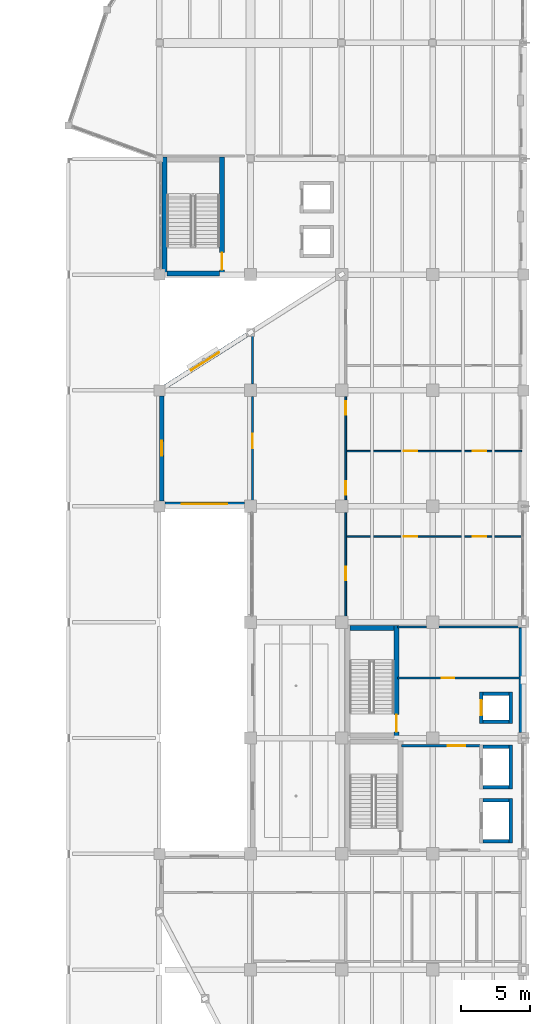
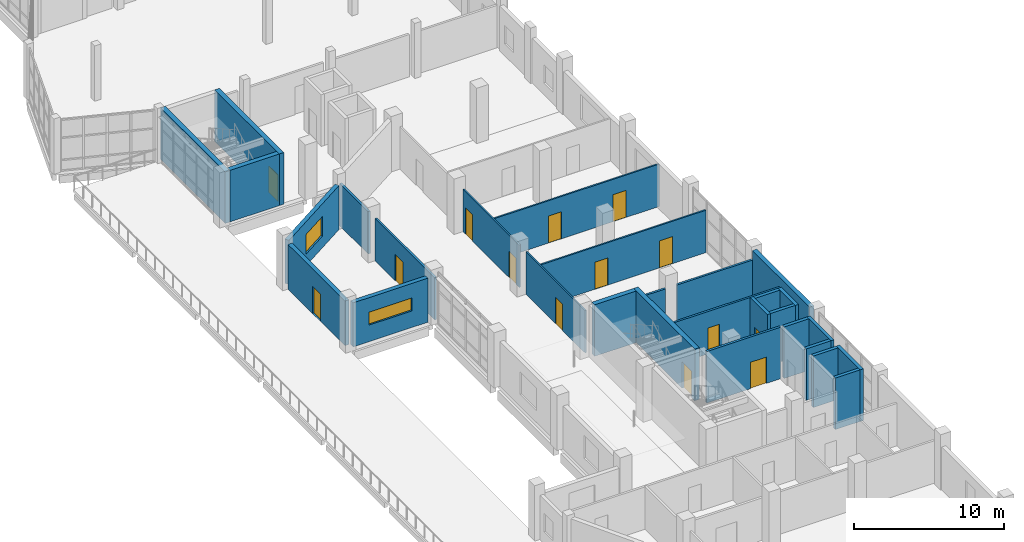
# One storey, part 57 of 83: 29 walls, 14 doors, 2 windows, 16 openings.
"""IFC4 building model written with IfcOpenShell, lengths in metres."""

import ifcopenshell
import ifcopenshell.guid

model = None  # the IFC model being written
_history = None  # IfcOwnerHistory: only IFC2X3 demands one
_inside = {}  # id of a spatial element -> (the spatial element, [elements in it])
_under = {}  # id of a project, library or spatial element -> (it, [spatial elements below it])
_declared = {}  # id of a project -> (the project, [libraries it declares])
_typed = {}  # id of a type object -> (the type object, [elements of that type])
_made_of = {}  # id of a material, layer set ... -> (it, [elements and type objects made of it])


def new_model(schema):
    """Start an empty IFC model of exactly this schema.

    Asked for "IFC4X3", IfcOpenShell would pick the latest addendum, in which some entities
    have other attributes; the version numbers below select the first issue.
    IFC2X3 requires an IfcOwnerHistory on every rooted entity: one is made here for all.
    """
    global model, _history
    if schema == "IFC4X3":
        model = ifcopenshell.file(schema_version=(4, 3, 0, 0))
    else:
        model = ifcopenshell.file(schema=schema)
    _inside.clear()
    _under.clear()
    _declared.clear()
    _typed.clear()
    _made_of.clear()
    _history = None
    if model.schema == "IFC2X3":
        org = make("IfcOrganization", Name="unknown")
        user = make(
            "IfcPersonAndOrganization",
            ThePerson=make("IfcPerson", FamilyName="unknown"),
            TheOrganization=org,
        )
        app = make(
            "IfcApplication",
            ApplicationDeveloper=org,
            Version="unknown",
            ApplicationFullName="unknown",
            ApplicationIdentifier="unknown",
        )
        _history = make(
            "IfcOwnerHistory",
            OwningUser=user,
            OwningApplication=app,
            ChangeAction="ADDED",
            CreationDate=0,
        )
    return model


def make(cls, **values):
    """One entity of the class cls with the attributes given. An attribute that is None is left unset."""
    return model.create_entity(
        cls, **{name: value for name, value in values.items() if value is not None}
    )


def rooted(cls, **values):
    """An entity with a GlobalId (a new one), such as an element, a storey or a relation."""
    return make(cls, GlobalId=ifcopenshell.guid.new(), OwnerHistory=_history, **values)


def si_unit(unit_type, name, prefix=None):
    """IfcSIUnit, for example si_unit("LENGTHUNIT", "METRE", prefix="MILLI")."""
    return make("IfcSIUnit", UnitType=unit_type, Prefix=prefix, Name=name)


def assignment(units):
    """IfcUnitAssignment: the units of a project."""
    return None if units is None else make("IfcUnitAssignment", Units=units)


def point(xyz):
    """IfcCartesianPoint."""
    return None if xyz is None else make("IfcCartesianPoint", Coordinates=xyz)


def direction(xyz):
    """IfcDirection."""
    return None if xyz is None else make("IfcDirection", DirectionRatios=xyz)


def frame(location, z_axis=None, x_axis=None):
    """IfcAxis2Placement3D, a coordinate frame: its origin and axes. An axis left out is left unset."""
    return make(
        "IfcAxis2Placement3D",
        Location=point(location),
        Axis=direction(z_axis),
        RefDirection=direction(x_axis),
    )


def frame_2d(location, x_axis=None):
    """IfcAxis2Placement2D, a coordinate frame in the plane: its origin and x axis."""
    return make(
        "IfcAxis2Placement2D", Location=point(location), RefDirection=direction(x_axis)
    )


def origin():
    """The frame at (0, 0, 0) with its axes left unset."""
    return frame((0.0, 0.0, 0.0))


def place(relative_to, where):
    """IfcLocalPlacement: puts the frame where relative to a parent placement (None: the world)."""
    return make(
        "IfcLocalPlacement", PlacementRelTo=relative_to, RelativePlacement=where
    )


def context(
    kind, dimensions, precision=None, world=None, true_north=None, identifier=None
):
    """IfcGeometricRepresentationContext, for example the 3D "Model" context."""
    return make(
        "IfcGeometricRepresentationContext",
        ContextIdentifier=identifier,
        ContextType=kind,
        CoordinateSpaceDimension=dimensions,
        Precision=precision,
        WorldCoordinateSystem=world,
        TrueNorth=true_north,
    )


def subcontext(parent, identifier, kind, view, scale=None):
    """IfcGeometricRepresentationSubContext, for example "Body" below "Model"."""
    return make(
        "IfcGeometricRepresentationSubContext",
        ContextIdentifier=identifier,
        ContextType=kind,
        ParentContext=parent,
        TargetScale=scale,
        TargetView=view,
    )


def project(units=None, contexts=None):
    """IfcProject with its units and contexts."""
    return rooted(
        "IfcProject",
        Name="project",
        RepresentationContexts=contexts,
        UnitsInContext=assignment(units),
    )


def spatial(cls, under=None, at=None, **own):
    """A site, building, storey or space (cls), placed at a placement, below another one or the project."""
    s = rooted(cls, ObjectPlacement=at, **own)
    if under is not None:
        _under.setdefault(under.id(), (under, []))[1].append(s)
    return s


def profile(cls, at=None, kind="AREA", **sizes):
    """A parametric profile (cls). Its sizes go by their IFC names, for example OverallWidth=200.0."""
    return make(cls, ProfileType=kind, Position=at, **sizes)


def rectangle(**sizes):
    """IfcRectangleProfileDef."""
    return profile("IfcRectangleProfileDef", **sizes)


def extrude(swept, where, along, depth):
    """IfcExtrudedAreaSolid: the profile swept, set in the frame where, extruded along a direction by depth."""
    return make(
        "IfcExtrudedAreaSolid",
        SweptArea=swept,
        Position=where,
        ExtrudedDirection=direction(along),
        Depth=depth,
    )


def shape(context_of_items, identifier, shape_type, items):
    """IfcShapeRepresentation: the items that make up one representation, for example the "Body"."""
    return make(
        "IfcShapeRepresentation",
        ContextOfItems=context_of_items,
        RepresentationIdentifier=identifier,
        RepresentationType=shape_type,
        Items=items,
    )


def material(Name=None, Category=None):
    """IfcMaterial."""
    return make("IfcMaterial", Name=Name, Category=Category)


def layer(
    of_material, thickness, ventilated=None, Name=None, Category=None, Priority=None
):
    """IfcMaterialLayer: one layer of a wall or slab, of a material (None: an air gap)."""
    return make(
        "IfcMaterialLayer",
        Material=of_material,
        LayerThickness=thickness,
        IsVentilated=ventilated,
        Name=Name,
        Category=Category,
        Priority=Priority,
    )


def layer_set(layers, Name=None):
    """IfcMaterialLayerSet."""
    return make("IfcMaterialLayerSet", MaterialLayers=layers, LayerSetName=Name)


def made_of(thing, what):
    """Note that an element or type object is made of a material, layer set ...; save() writes the relation."""
    if what is not None:
        _made_of.setdefault(what.id(), (what, []))[1].append(thing)
    return thing


def type_object(cls, material=None, **own):
    """A type object (cls), such as IfcWallType, which elements share."""
    return made_of(rooted(cls, **own), material)


def element(
    cls,
    number,
    at=None,
    inside=None,
    cuts=None,
    type_object=None,
    material=None,
    context=None,
    identifier="Body",
    shape_type=None,
    held_by="IfcProductDefinitionShape",
    body=None,
    shapes=None,
    **own,
):
    """One element of the class cls, such as IfcWall. Its Tag is "e" and its number.

    at: its placement. inside: the storey or other place that contains it. cuts: it is an
    opening in that element (IfcRelVoidsElement). A single representation is given by context,
    identifier, shape_type and body (its items); several are given by shapes. held_by: the class
    of the entity that holds the representations. save() writes the other relations.
    """
    e = rooted(cls, Tag="e%d" % number, ObjectPlacement=at, **own)
    if body is not None:
        shapes = [shape(context, identifier, shape_type, body)]
    if shapes is not None:
        e.Representation = make(held_by, Representations=shapes)
    if inside is not None:
        _inside.setdefault(inside.id(), (inside, []))[1].append(e)
    if cuts is not None:
        rooted(
            "IfcRelVoidsElement", RelatingBuildingElement=cuts, RelatedOpeningElement=e
        )
    if type_object is not None:
        _typed.setdefault(type_object.id(), (type_object, []))[1].append(e)
    return made_of(e, material)


def fill(opening, filler):
    """IfcRelFillsElement: the door or window that sits in an opening."""
    return rooted(
        "IfcRelFillsElement",
        RelatingOpeningElement=opening,
        RelatedBuildingElement=filler,
    )


def aggregate(whole, parts):
    """IfcRelAggregates: a whole, such as a stair, and the parts it consists of."""
    return rooted("IfcRelAggregates", RelatingObject=whole, RelatedObjects=parts)


def save(model, path):
    """Write the relations noted so far, then the file.

    IfcRelAggregates (storeys below a building ...), IfcRelContainedInSpatialStructure (elements
    in a storey), IfcRelDefinesByType, IfcRelAssociatesMaterial and IfcRelDeclares: one each for
    every whole, place, type object, material and project.
    """
    for whole, parts in _under.values():
        aggregate(whole, parts)
    for where, things in _inside.values():
        rooted(
            "IfcRelContainedInSpatialStructure",
            RelatedElements=things,
            RelatingStructure=where,
        )
    for kind, things in _typed.values():
        rooted("IfcRelDefinesByType", RelatedObjects=things, RelatingType=kind)
    for what, things in _made_of.values():
        rooted("IfcRelAssociatesMaterial", RelatedObjects=things, RelatingMaterial=what)
    for by, libraries in _declared.values():
        rooted("IfcRelDeclares", RelatingContext=by, RelatedDefinitions=libraries)
    model.write(path)


model = new_model("IFC4")

# Units and contexts
model_context = context("Model", 3, precision=1e-05, world=origin(), true_north=direction((0.0, 1.0)))
body_context = subcontext(model_context, "Body", "Model", "MODEL_VIEW")
ifc_project = project(units=[si_unit("LENGTHUNIT", "METRE"), si_unit("AREAUNIT", "SQUARE_METRE"), si_unit("VOLUMEUNIT", "CUBIC_METRE"), si_unit("PLANEANGLEUNIT", "RADIAN"), si_unit("MASSUNIT", "GRAM", prefix="KILO")], contexts=[model_context])

# Site, building, storey
site_placement = place(None, origin())
site = spatial("IfcSite", under=ifc_project, at=site_placement, CompositionType="ELEMENT")
building_placement = place(site_placement, origin())
building = spatial("IfcBuilding", under=site, at=building_placement, Name="Qaldarim Faculty of Natural and Applied Sciences", CompositionType="ELEMENT")
storey_placement = place(building_placement, frame((0.0, 0.0, 5.39990234375)))
storey = spatial("IfcBuildingStorey", under=building, at=storey_placement, Name="L01", CompositionType="ELEMENT", Elevation=5.39990234375)

# Wall, opening, door
ifc_material_1 = material(Name="Painted gypsum partition board")
ifc_layer_1 = layer(ifc_material_1, 0.1201171875)
ifc_layer_set_1 = layer_set([ifc_layer_1], Name="Painted gypsum partition board")
wall_type_1 = type_object("IfcWallType", Name="AcousticPartition-120", PredefinedType="PARTITIONING", material=ifc_layer_set_1)
wall_1_placement = place(storey_placement, frame((165.300048828125, 33.64990234375, 0.0), z_axis=(0.0, 0.0, 1.0), x_axis=(0.0, 1.0, 0.0)))
wall_1 = element("IfcWall", 1, at=wall_1_placement, inside=storey, type_object=wall_type_1, Name="Interior partition PRT-L01-V5-OFFW-S1", PredefinedType="PARTITIONING", context=body_context, shape_type="SweptSolid", body=[
    extrude(rectangle(XDim=7.900146484375, YDim=0.1201171875, at=frame_2d((3.9501953125, 0.0))), origin(), (0.0, 0.0, 1.0), 3.4501953125),
])
opening_1_placement = place(wall_1_placement, frame((3.0, 0.0, 0.0)))
opening_1 = element("IfcOpeningElement", 2, at=opening_1_placement, cuts=wall_1, Name="Opening ID01", PredefinedType="OPENING", context=body_context, shape_type="SweptSolid", body=[
    extrude(rectangle(XDim=0.949951171875, YDim=2.14990234375, at=frame_2d((0.47509765625, 1.074951171875))), frame((0.0, 0.070068359375, 0.0), z_axis=(0.0, -1.0, 0.0), x_axis=(1.0, 0.0, 0.0)), (0.0, 0.0, 1.0), 0.14013671875),
])
ifc_material_2 = material(Name="Oak hardwood", Category="wood")
door_type_1 = type_object("IfcDoorType", Name="SingleRoomDoor-950x2150", OperationType="NOTDEFINED", PredefinedType="DOOR", material=ifc_material_2)
door_1_placement = place(opening_1_placement, origin())
door_1 = element("IfcDoor", 3, at=door_1_placement, inside=storey, type_object=door_type_1, Name="Interior door D-L01-201", OperationType="SINGLE_SWING_LEFT", OverallHeight=2.14990234375, OverallWidth=0.949951171875, PredefinedType="DOOR", context=body_context, shape_type="SweptSolid", body=[
    extrude(rectangle(XDim=0.949951171875, YDim=2.14990234375, at=frame_2d((0.47509765625, 1.074951171875))), frame((0.0, 0.02490234375, 0.0), z_axis=(0.0, -1.0, 0.0), x_axis=(1.0, 0.0, 0.0)), (0.0, 0.0, 1.0), 0.050048828125),
])
fill(opening_1, door_1)

# Wall, openings, doors
wall_2_placement = place(storey_placement, frame((165.300048828125, 42.449951171875, 0.0), z_axis=(0.0, 0.0, 1.0), x_axis=(0.0, 1.0, 0.0)))
wall_2 = element("IfcWall", 4, at=wall_2_placement, inside=storey, type_object=wall_type_1, Name="Interior partition PRT-L01-V5-OFFW-S2", PredefinedType="PARTITIONING", context=body_context, shape_type="SweptSolid", body=[
    extrude(rectangle(XDim=7.5, YDim=0.1201171875, at=frame_2d((3.75, 0.0))), origin(), (0.0, 0.0, 1.0), 3.4501953125),
])
opening_2_placement = place(wall_2_placement, frame((0.39990234375, 0.0, 0.0)))
opening_2 = element("IfcOpeningElement", 5, at=opening_2_placement, cuts=wall_2, Name="Opening ID01", PredefinedType="OPENING", context=body_context, shape_type="SweptSolid", body=[
    extrude(rectangle(XDim=0.949951171875, YDim=2.14990234375, at=frame_2d((0.47509765625, 1.074951171875))), frame((0.0, 0.070068359375, 0.0), z_axis=(0.0, -1.0, 0.0), x_axis=(1.0, 0.0, 0.0)), (0.0, 0.0, 1.0), 0.14013671875),
])
opening_3_placement = place(wall_2_placement, frame((6.199951171875, 0.0, 0.0)))
opening_3 = element("IfcOpeningElement", 6, at=opening_3_placement, cuts=wall_2, Name="Opening ID01", PredefinedType="OPENING", context=body_context, shape_type="SweptSolid", body=[
    extrude(rectangle(XDim=0.949951171875, YDim=2.14990234375, at=frame_2d((0.47509765625, 1.074951171875))), frame((0.0, 0.070068359375, 0.0), z_axis=(0.0, -1.0, 0.0), x_axis=(1.0, 0.0, 0.0)), (0.0, 0.0, 1.0), 0.14013671875),
])
door_2_placement = place(opening_2_placement, origin())
door_2 = element("IfcDoor", 7, at=door_2_placement, inside=storey, type_object=door_type_1, Name="Interior door D-L01-202", OperationType="SINGLE_SWING_RIGHT", OverallHeight=2.14990234375, OverallWidth=0.949951171875, PredefinedType="DOOR", context=body_context, shape_type="SweptSolid", body=[
    extrude(rectangle(XDim=0.949951171875, YDim=2.14990234375, at=frame_2d((0.47509765625, 1.074951171875))), frame((0.0, 0.02490234375, 0.0), z_axis=(0.0, -1.0, 0.0), x_axis=(1.0, 0.0, 0.0)), (0.0, 0.0, 1.0), 0.050048828125),
])
fill(opening_2, door_2)
door_3_placement = place(opening_3_placement, origin())
door_3 = element("IfcDoor", 8, at=door_3_placement, inside=storey, type_object=door_type_1, Name="Interior door D-L01-203", OperationType="SINGLE_SWING_LEFT", OverallHeight=2.14990234375, OverallWidth=0.949951171875, PredefinedType="DOOR", context=body_context, shape_type="SweptSolid", body=[
    extrude(rectangle(XDim=0.949951171875, YDim=2.14990234375, at=frame_2d((0.47509765625, 1.074951171875))), frame((0.0, 0.02490234375, 0.0), z_axis=(0.0, -1.0, 0.0), x_axis=(1.0, 0.0, 0.0)), (0.0, 0.0, 1.0), 0.050048828125),
])
fill(opening_3, door_3)

wall_3_placement = place(storey_placement, frame((165.300048828125, 39.800048828125, 0.0), z_axis=(0.0, 0.0, 1.0), x_axis=(1.0, 0.0, 0.0)))
wall_3 = element("IfcWall", 9, at=wall_3_placement, inside=storey, type_object=wall_type_1, Name="Interior partition PRT-L01-V5-SUB-1", PredefinedType="PARTITIONING", context=body_context, shape_type="SweptSolid", body=[
    extrude(rectangle(XDim=12.75, YDim=0.1201171875, at=frame_2d((6.375, 0.0))), origin(), (0.0, 0.0, 1.0), 3.4501953125),
])
opening_4_placement = place(wall_3_placement, frame((4.199951171875, 0.0, 0.0)))
opening_4 = element("IfcOpeningElement", 10, at=opening_4_placement, cuts=wall_3, Name="Opening ID08", PredefinedType="OPENING", context=body_context, shape_type="SweptSolid", body=[
    extrude(rectangle(XDim=1.0, YDim=2.199951171875, at=frame_2d((0.5, 1.10009765625))), frame((0.0, 0.070068359375, 0.0), z_axis=(0.0, -1.0, 0.0), x_axis=(1.0, 0.0, 0.0)), (0.0, 0.0, 1.0), 0.14013671875),
])
opening_5_placement = place(wall_3_placement, frame((9.199951171875, 0.0, 0.0)))
opening_5 = element("IfcOpeningElement", 11, at=opening_5_placement, cuts=wall_3, Name="Opening ID08", PredefinedType="OPENING", context=body_context, shape_type="SweptSolid", body=[
    extrude(rectangle(XDim=1.0, YDim=2.199951171875, at=frame_2d((0.5, 1.10009765625))), frame((0.0, 0.070068359375, 0.0), z_axis=(0.0, -1.0, 0.0), x_axis=(1.0, 0.0, 0.0)), (0.0, 0.0, 1.0), 0.14013671875),
])
door_type_2 = type_object("IfcDoorType", Name="SeminarRoomDoor-1000x2200", OperationType="NOTDEFINED", PredefinedType="DOOR", material=ifc_material_2)
door_4_placement = place(opening_4_placement, origin())
door_4 = element("IfcDoor", 12, at=door_4_placement, inside=storey, type_object=door_type_2, Name="Interior door D-L01-311", OperationType="SINGLE_SWING_LEFT", OverallHeight=2.199951171875, OverallWidth=1.0, PredefinedType="DOOR", context=body_context, shape_type="SweptSolid", body=[
    extrude(rectangle(XDim=1.0, YDim=2.199951171875, at=frame_2d((0.5, 1.10009765625))), frame((0.0, 0.02490234375, 0.0), z_axis=(0.0, -1.0, 0.0), x_axis=(1.0, 0.0, 0.0)), (0.0, 0.0, 1.0), 0.050048828125),
])
fill(opening_4, door_4)
door_5_placement = place(opening_5_placement, origin())
door_5 = element("IfcDoor", 13, at=door_5_placement, inside=storey, type_object=door_type_2, Name="Interior door D-L01-312", OperationType="SINGLE_SWING_RIGHT", OverallHeight=2.199951171875, OverallWidth=1.0, PredefinedType="DOOR", context=body_context, shape_type="SweptSolid", body=[
    extrude(rectangle(XDim=1.0, YDim=2.199951171875, at=frame_2d((0.5, 1.10009765625))), frame((0.0, 0.02490234375, 0.0), z_axis=(0.0, -1.0, 0.0), x_axis=(1.0, 0.0, 0.0)), (0.0, 0.0, 1.0), 0.050048828125),
])
fill(opening_5, door_5)

wall_4_placement = place(storey_placement, frame((165.300048828125, 46.0, 0.0), z_axis=(0.0, 0.0, 1.0), x_axis=(1.0, 0.0, 0.0)))
wall_4 = element("IfcWall", 14, at=wall_4_placement, inside=storey, type_object=wall_type_1, Name="Interior partition PRT-L01-V5-SUB-2", PredefinedType="PARTITIONING", context=body_context, shape_type="SweptSolid", body=[
    extrude(rectangle(XDim=12.75, YDim=0.1201171875, at=frame_2d((6.375, 0.0))), origin(), (0.0, 0.0, 1.0), 3.4501953125),
])
opening_6_placement = place(wall_4_placement, frame((4.199951171875, 0.0, 0.0)))
opening_6 = element("IfcOpeningElement", 15, at=opening_6_placement, cuts=wall_4, Name="Opening ID08", PredefinedType="OPENING", context=body_context, shape_type="SweptSolid", body=[
    extrude(rectangle(XDim=1.0, YDim=2.199951171875, at=frame_2d((0.5, 1.10009765625))), frame((0.0, 0.070068359375, 0.0), z_axis=(0.0, -1.0, 0.0), x_axis=(1.0, 0.0, 0.0)), (0.0, 0.0, 1.0), 0.14013671875),
])
opening_7_placement = place(wall_4_placement, frame((9.199951171875, 0.0, 0.0)))
opening_7 = element("IfcOpeningElement", 16, at=opening_7_placement, cuts=wall_4, Name="Opening ID08", PredefinedType="OPENING", context=body_context, shape_type="SweptSolid", body=[
    extrude(rectangle(XDim=1.0, YDim=2.199951171875, at=frame_2d((0.5, 1.10009765625))), frame((0.0, 0.070068359375, 0.0), z_axis=(0.0, -1.0, 0.0), x_axis=(1.0, 0.0, 0.0)), (0.0, 0.0, 1.0), 0.14013671875),
])
door_6_placement = place(opening_6_placement, origin())
door_6 = element("IfcDoor", 17, at=door_6_placement, inside=storey, type_object=door_type_2, Name="Interior door D-L01-313", OperationType="SINGLE_SWING_LEFT", OverallHeight=2.199951171875, OverallWidth=1.0, PredefinedType="DOOR", context=body_context, shape_type="SweptSolid", body=[
    extrude(rectangle(XDim=1.0, YDim=2.199951171875, at=frame_2d((0.5, 1.10009765625))), frame((0.0, 0.02490234375, 0.0), z_axis=(0.0, -1.0, 0.0), x_axis=(1.0, 0.0, 0.0)), (0.0, 0.0, 1.0), 0.050048828125),
])
fill(opening_6, door_6)
door_7_placement = place(opening_7_placement, origin())
door_7 = element("IfcDoor", 18, at=door_7_placement, inside=storey, type_object=door_type_2, Name="Interior door D-L01-314", OperationType="SINGLE_SWING_RIGHT", OverallHeight=2.199951171875, OverallWidth=1.0, PredefinedType="DOOR", context=body_context, shape_type="SweptSolid", body=[
    extrude(rectangle(XDim=1.0, YDim=2.199951171875, at=frame_2d((0.5, 1.10009765625))), frame((0.0, 0.02490234375, 0.0), z_axis=(0.0, -1.0, 0.0), x_axis=(1.0, 0.0, 0.0)), (0.0, 0.0, 1.0), 0.050048828125),
])
fill(opening_7, door_7)

# Wall, opening, door
ifc_material_3 = material(Name="Concrete C50/60", Category="concrete")
ifc_layer_2 = layer(ifc_material_3, 0.360107421875)
ifc_layer_set_2 = layer_set([ifc_layer_2], Name="Concrete C50/60")
wall_type_2 = type_object("IfcWallType", Name="CoreShearWall-360", PredefinedType="SHEAR", material=ifc_layer_set_2)
wall_5_placement = place(storey_placement, frame((168.97998046875, 25.18994140625, 0.0), z_axis=(0.0, 0.0, 1.0), x_axis=(0.0, 1.0, 0.0)))
wall_5 = element("IfcWall", 19, at=wall_5_placement, inside=storey, type_object=wall_type_2, Name="Core stair ST-A2 east shear wall L01", PredefinedType="SHEAR", context=body_context, shape_type="SweptSolid", body=[
    extrude(rectangle(XDim=8.170166015625, YDim=0.360107421875, at=frame_2d((4.0849609375, 0.0))), origin(), (0.0, 0.0, 1.0), 4.2001953125),
])
opening_8_placement = place(wall_5_placement, frame((0.449951171875, 0.0, 0.0)))
opening_8 = element("IfcOpeningElement", 20, at=opening_8_placement, cuts=wall_5, Name="Opening ID04", PredefinedType="OPENING", context=body_context, shape_type="SweptSolid", body=[
    extrude(rectangle(XDim=1.25, YDim=2.14990234375, at=frame_2d((0.625, 1.074951171875))), frame((0.0, 0.18994140625, 0.0), z_axis=(0.0, -1.0, 0.0), x_axis=(1.0, 0.0, 0.0)), (0.0, 0.0, 1.0), 0.380126953125),
])
ifc_material_4 = material(Name="Architectural stainless steel 316", Category="steel")
door_type_3 = type_object("IfcDoorType", Name="StairEnclosureFireDoor-1250x2150", OperationType="NOTDEFINED", PredefinedType="DOOR", material=ifc_material_4)
door_8_placement = place(opening_8_placement, origin())
door_8 = element("IfcDoor", 21, at=door_8_placement, inside=storey, type_object=door_type_3, Name="Protected stair ST-A2 fire door D-L01-515", OperationType="SINGLE_SWING_LEFT", OverallHeight=2.14990234375, OverallWidth=1.25, PredefinedType="DOOR", context=body_context, shape_type="SweptSolid", body=[
    extrude(rectangle(XDim=1.25, YDim=2.14990234375, at=frame_2d((0.625, 1.074951171875))), frame((0.0, 0.02490234375, 0.0), z_axis=(0.0, -1.0, 0.0), x_axis=(1.0, 0.0, 0.0)), (0.0, 0.0, 1.0), 0.050048828125),
])
fill(opening_8, door_8)

# Walls
wall_6_placement = place(storey_placement, frame((165.60009765625, 33.179931640625, 0.0), z_axis=(0.0, 0.0, 1.0), x_axis=(1.0, 0.0, 0.0)))
element("IfcWall", 22, at=wall_6_placement, inside=storey, type_object=wall_type_2, Name="Core stair ST-A2 north shear wall L01", PredefinedType="SHEAR", context=body_context, shape_type="SweptSolid", body=[
    extrude(rectangle(XDim=3.199951171875, YDim=0.360107421875, at=frame_2d((1.60009765625, 0.0))), origin(), (0.0, 0.0, 1.0), 4.2001953125),
])
wall_7_placement = place(storey_placement, frame((152.169921875, 58.68994140625, 0.0), z_axis=(0.0, 0.0, 1.0), x_axis=(0.0, 1.0, 0.0)))
element("IfcWall", 23, at=wall_7_placement, inside=storey, type_object=wall_type_2, Name="Core stair ST-C1 west shear wall L01", PredefinedType="SHEAR", context=body_context, shape_type="SweptSolid", body=[
    extrude(rectangle(XDim=8.6201171875, YDim=0.360107421875, at=frame_2d((4.31005859375, 0.0))), origin(), (0.0, 0.0, 1.0), 4.2001953125),
])

# Wall, opening, door
wall_8_placement = place(storey_placement, frame((156.330078125, 58.68994140625, 0.0), z_axis=(0.0, 0.0, 1.0), x_axis=(0.0, 1.0, 0.0)))
wall_8 = element("IfcWall", 24, at=wall_8_placement, inside=storey, type_object=wall_type_2, Name="Core stair ST-C1 east shear wall L01", PredefinedType="SHEAR", context=body_context, shape_type="SweptSolid", body=[
    extrude(rectangle(XDim=8.6201171875, YDim=0.360107421875, at=frame_2d((4.31005859375, 0.0))), origin(), (0.0, 0.0, 1.0), 4.2001953125),
])
opening_9_placement = place(wall_8_placement, frame((0.449951171875, 0.0, 0.0)))
opening_9 = element("IfcOpeningElement", 25, at=opening_9_placement, cuts=wall_8, Name="Opening ID04", PredefinedType="OPENING", context=body_context, shape_type="SweptSolid", body=[
    extrude(rectangle(XDim=1.25, YDim=2.14990234375, at=frame_2d((0.625, 1.074951171875))), frame((0.0, 0.18994140625, 0.0), z_axis=(0.0, -1.0, 0.0), x_axis=(1.0, 0.0, 0.0)), (0.0, 0.0, 1.0), 0.380126953125),
])
door_9_placement = place(opening_9_placement, origin())
door_9 = element("IfcDoor", 26, at=door_9_placement, inside=storey, type_object=door_type_3, Name="Protected stair ST-C1 fire door D-L01-540", OperationType="SINGLE_SWING_LEFT", OverallHeight=2.14990234375, OverallWidth=1.25, PredefinedType="DOOR", context=body_context, shape_type="SweptSolid", body=[
    extrude(rectangle(XDim=1.25, YDim=2.14990234375, at=frame_2d((0.625, 1.074951171875))), frame((0.0, 0.02490234375, 0.0), z_axis=(0.0, -1.0, 0.0), x_axis=(1.0, 0.0, 0.0)), (0.0, 0.0, 1.0), 0.050048828125),
])
fill(opening_9, door_9)

# Wall
wall_9_placement = place(storey_placement, frame((152.35009765625, 58.8701171875, 0.0), z_axis=(0.0, 0.0, 1.0), x_axis=(1.0, 0.0, 0.0)))
element("IfcWall", 27, at=wall_9_placement, inside=storey, type_object=wall_type_2, Name="Core stair ST-C1 south shear wall L01", PredefinedType="SHEAR", context=body_context, shape_type="SweptSolid", body=[
    extrude(rectangle(XDim=3.7998046875, YDim=0.360107421875, at=frame_2d((1.89990234375, 0.0))), origin(), (0.0, 0.0, 1.0), 4.2001953125),
])

# Wall, opening, window
ifc_material_5 = material(Name="Precast concrete C40/50", Category="concrete")
ifc_layer_3 = layer(ifc_material_5, 0.320068359375)
ifc_layer_set_3 = layer_set([ifc_layer_3], Name="Precast concrete C40/50")
wall_type_3 = type_object("IfcWallType", Name="ExteriorLimestoneWall-320", PredefinedType="SOLIDWALL", material=ifc_layer_set_3)
wall_10_placement = place(storey_placement, frame((152.195068359375, 42.159912109375, 0.0), z_axis=(0.0, 0.0, 1.0), x_axis=(1.0, 0.0, 0.0)))
wall_10 = element("IfcWall", 28, at=wall_10_placement, inside=storey, type_object=wall_type_3, Name="Exterior wall EW01 L01 S X24Y06", PredefinedType="SOLIDWALL", context=body_context, shape_type="SweptSolid", body=[
    extrude(rectangle(XDim=5.760009765625, YDim=0.320068359375, at=frame_2d((2.8798828125, 0.0))), origin(), (0.0, 0.0, 1.0), 3.585205078125),
])
opening_10_placement = place(wall_10_placement, frame((1.22998046875, 0.0, 1.35009765625)))
opening_10 = element("IfcOpeningElement", 29, at=opening_10_placement, cuts=wall_10, Name="Opening WN23", PredefinedType="OPENING", context=body_context, shape_type="SweptSolid", body=[
    extrude(rectangle(XDim=3.300048828125, YDim=1.050048828125, at=frame_2d((1.64990234375, 0.52490234375))), frame((0.0, 0.169921875, 0.0), z_axis=(0.0, -1.0, 0.0), x_axis=(1.0, 0.0, 0.0)), (0.0, 0.0, 1.0), 0.340087890625),
])
ifc_material_6 = material(Name="Insulated low-e double glazing", Category="glass")
window_type_1 = type_object("IfcWindowType", Name="ClerestoryWindow-3300x1050", PartitioningType="TRIPLE_PANEL_HORIZONTAL", PredefinedType="WINDOW", material=ifc_material_6)
window_1_placement = place(opening_10_placement, origin())
window_1 = element("IfcWindow", 30, at=window_1_placement, inside=storey, type_object=window_type_1, Name="Facade window WN23 L01 S X24Y06", OverallHeight=1.050048828125, OverallWidth=3.300048828125, PartitioningType="SINGLE_PANEL", PredefinedType="WINDOW", context=body_context, shape_type="SweptSolid", body=[
    extrude(rectangle(XDim=3.300048828125, YDim=1.050048828125, at=frame_2d((1.64990234375, 0.52490234375))), frame((0.0, 0.030029296875, 0.0), z_axis=(0.0, -1.0, 0.0), x_axis=(1.0, 0.0, 0.0)), (0.0, 0.0, 1.0), 0.06005859375),
])
fill(opening_10, window_1)

# Wall, opening, door
wall_11_placement = place(storey_placement, frame((151.9599609375, 50.0048828125, 0.0), z_axis=(0.0, 0.0, 1.0), x_axis=(0.0, -1.0, 0.0)))
wall_11 = element("IfcWall", 31, at=wall_11_placement, inside=storey, type_object=wall_type_3, Name="Exterior wall EW01 L01 W X24Y06", PredefinedType="SOLIDWALL", context=body_context, shape_type="SweptSolid", body=[
    extrude(rectangle(XDim=7.60986328125, YDim=0.320068359375, at=frame_2d((3.804931640625, 0.0))), origin(), (0.0, 0.0, 1.0), 3.635009765625),
])
opening_11_placement = place(wall_11_placement, frame((3.2548828125, 0.0, 0.0)))
opening_11 = element("IfcOpeningElement", 32, at=opening_11_placement, cuts=wall_11, Name="Opening ED03", PredefinedType="OPENING", context=body_context, shape_type="SweptSolid", body=[
    extrude(rectangle(XDim=1.10009765625, YDim=2.199951171875, at=frame_2d((0.550048828125, 1.10009765625))), frame((0.0, 0.169921875, 0.0), z_axis=(0.0, -1.0, 0.0), x_axis=(1.0, 0.0, 0.0)), (0.0, 0.0, 1.0), 0.340087890625),
])
ifc_material_7 = material(Name="Anodised aluminium AW-6063", Category="aluminium")
door_type_4 = type_object("IfcDoorType", Name="TerraceAccessDoor-1100x2200", OperationType="NOTDEFINED", PredefinedType="DOOR", material=ifc_material_7)
door_10_placement = place(opening_11_placement, frame((1.10009765625, 0.0, 0.0), z_axis=(0.0, 0.0, 1.0), x_axis=(-1.0, 0.0, 0.0)))
door_10 = element("IfcDoor", 33, at=door_10_placement, inside=storey, type_object=door_type_4, Name="Terrace access door D-L01-021", OperationType="SINGLE_SWING_LEFT", OverallHeight=2.199951171875, OverallWidth=1.10009765625, PredefinedType="DOOR", context=body_context, shape_type="SweptSolid", body=[
    extrude(rectangle(XDim=1.10009765625, YDim=2.199951171875, at=frame_2d((0.550048828125, 1.10009765625))), frame((0.0, 0.02490234375, 0.0), z_axis=(0.0, -1.0, 0.0), x_axis=(1.0, 0.0, 0.0)), (0.0, 0.0, 1.0), 0.050048828125),
])
fill(opening_11, door_10)

# Wall, opening, window
wall_12_placement = place(storey_placement, frame((152.050048828125, 50.56005859375, 0.0), z_axis=(0.0, 0.0, 1.0), x_axis=(0.843776886751, 0.536694107835, 0.0)))
wall_12 = element("IfcWall", 34, at=wall_12_placement, inside=storey, type_object=wall_type_3, Name="Oblique NW chamfer fenestrated wall L01 1", PredefinedType="SOLIDWALL", context=body_context, shape_type="SweptSolid", body=[
    extrude(rectangle(XDim=7.229248046875, YDim=0.320068359375, at=frame_2d((3.61474609375, 0.0))), origin(), (0.0, 0.0, 1.0), 3.585205078125),
])
opening_12_placement = place(wall_12_placement, frame((2.4150390625, 0.0, 0.949951171875)))
opening_12 = element("IfcOpeningElement", 35, at=opening_12_placement, cuts=wall_12, Name="Opening WN03", PredefinedType="OPENING", context=body_context, shape_type="SweptSolid", body=[
    extrude(rectangle(XDim=2.39990234375, YDim=1.60009765625, at=frame_2d((1.199951171875, 0.800048828125))), frame((0.0, 0.169921875, 0.0), z_axis=(0.0, -1.0, 0.0), x_axis=(1.0, 0.0, 0.0)), (0.0, 0.0, 1.0), 0.340087890625),
])
window_type_2 = type_object("IfcWindowType", Name="Window-2400x1600", PartitioningType="TRIPLE_PANEL_VERTICAL", PredefinedType="WINDOW", material=ifc_material_6)
window_2_placement = place(opening_12_placement, origin())
window_2 = element("IfcWindow", 36, at=window_2_placement, inside=storey, type_object=window_type_2, Name="Oblique NW chamfer window L01 1", OverallHeight=1.60009765625, OverallWidth=2.39990234375, PartitioningType="SINGLE_PANEL", PredefinedType="WINDOW", context=body_context, shape_type="SweptSolid", body=[
    extrude(rectangle(XDim=2.39990234375, YDim=1.60009765625, at=frame_2d((1.199951171875, 0.800048828125))), frame((0.0, 0.030029296875, 0.0), z_axis=(0.0, -1.0, 0.0), x_axis=(1.0, 0.0, 0.0)), (0.0, 0.0, 1.0), 0.06005859375),
])
fill(opening_12, window_2)

# Wall
ifc_layer_4 = layer(ifc_material_3, 0.340087890625)
ifc_layer_set_4 = layer_set([ifc_layer_4], Name="Concrete C50/60")
wall_type_4 = type_object("IfcWallType", Name="ExteriorStairShearWall-340", PredefinedType="SHEAR", material=ifc_layer_set_4)
wall_13_placement = place(storey_placement, frame((178.030029296875, 25.594970703125, 0.0), z_axis=(0.0, 0.0, 1.0), x_axis=(0.0, 1.0, 0.0)))
element("IfcWall", 37, at=wall_13_placement, inside=storey, type_object=wall_type_4, Name="Exterior wall EW05 L01 E X27Y04", PredefinedType="SHEAR", context=body_context, shape_type="SweptSolid", body=[
    extrude(rectangle(XDim=7.610107421875, YDim=0.340087890625, at=frame_2d((3.80517578125, 0.0))), origin(), (0.0, 0.0, 1.0), 4.2001953125),
])

# Wall, opening, door
ifc_material_8 = material(Name="Concrete C40/50", Category="concrete")
ifc_layer_5 = layer(ifc_material_8, 0.159912109375)
ifc_layer_set_5 = layer_set([ifc_layer_5], Name="Concrete C40/50")
wall_type_5 = type_object("IfcWallType", Name="FireCorridorWall-160", PredefinedType="PARTITIONING", material=ifc_layer_set_5)
wall_14_placement = place(storey_placement, frame((158.550048828125, 42.0, 0.0), z_axis=(0.0, 0.0, 1.0), x_axis=(0.0, 1.0, 0.0)))
wall_14 = element("IfcWall", 38, at=wall_14_placement, inside=storey, type_object=wall_type_5, Name="Interior partition PRT-L01-V5-NWSE-S1", PredefinedType="PARTITIONING", context=body_context, shape_type="SweptSolid", body=[
    extrude(rectangle(XDim=7.949951171875, YDim=0.159912109375, at=frame_2d((3.97509765625, 0.0))), origin(), (0.0, 0.0, 1.0), 3.4501953125),
])
opening_13_placement = place(wall_14_placement, frame((4.199951171875, 0.0, 0.0)))
opening_13 = element("IfcOpeningElement", 39, at=opening_13_placement, cuts=wall_14, Name="Opening ID02", PredefinedType="OPENING", context=body_context, shape_type="SweptSolid", body=[
    extrude(rectangle(XDim=1.050048828125, YDim=2.14990234375, at=frame_2d((0.52490234375, 1.074951171875))), frame((0.0, 0.08984375, 0.0), z_axis=(0.0, -1.0, 0.0), x_axis=(1.0, 0.0, 0.0)), (0.0, 0.0, 1.0), 0.179931640625),
])
door_type_5 = type_object("IfcDoorType", Name="AccessibleRoomDoor-1050x2150", OperationType="NOTDEFINED", PredefinedType="DOOR", material=ifc_material_2)
door_11_placement = place(opening_13_placement, origin())
door_11 = element("IfcDoor", 40, at=door_11_placement, inside=storey, type_object=door_type_5, Name="Interior door D-L01-393", OperationType="SINGLE_SWING_LEFT", OverallHeight=2.14990234375, OverallWidth=1.050048828125, PredefinedType="DOOR", context=body_context, shape_type="SweptSolid", body=[
    extrude(rectangle(XDim=1.050048828125, YDim=2.14990234375, at=frame_2d((0.52490234375, 1.074951171875))), frame((0.0, 0.02490234375, 0.0), z_axis=(0.0, -1.0, 0.0), x_axis=(1.0, 0.0, 0.0)), (0.0, 0.0, 1.0), 0.050048828125),
])
fill(opening_13, door_11)

# Wall
wall_15_placement = place(storey_placement, frame((158.550048828125, 50.85009765625, 0.0), z_axis=(0.0, 0.0, 1.0), x_axis=(0.0, 1.0, 0.0)))
element("IfcWall", 41, at=wall_15_placement, inside=storey, type_object=wall_type_5, Name="Interior partition PRT-L01-V5-NWSE-S2", PredefinedType="PARTITIONING", context=body_context, shape_type="SweptSolid", body=[
    extrude(rectangle(XDim=3.7998046875, YDim=0.159912109375, at=frame_2d((1.89990234375, 0.0))), origin(), (0.0, 0.0, 1.0), 3.4501953125),
])

# Wall, opening, door
wall_16_placement = place(storey_placement, frame((169.070068359375, 29.550048828125, 0.0), z_axis=(0.0, 0.0, 1.0), x_axis=(1.0, 0.0, 0.0)))
wall_16 = element("IfcWall", 42, at=wall_16_placement, inside=storey, type_object=wall_type_5, Name="Interior partition PRT-L01-V5-NES", PredefinedType="PARTITIONING", context=body_context, shape_type="SweptSolid", body=[
    extrude(rectangle(XDim=8.929931640625, YDim=0.159912109375, at=frame_2d((4.46484375, 0.0))), origin(), (0.0, 0.0, 1.0), 3.4501953125),
])
opening_14_placement = place(wall_16_placement, frame((3.199951171875, 0.0, 0.0)))
opening_14 = element("IfcOpeningElement", 43, at=opening_14_placement, cuts=wall_16, Name="Opening ID07", PredefinedType="OPENING", context=body_context, shape_type="SweptSolid", body=[
    extrude(rectangle(XDim=0.89990234375, YDim=2.10009765625, at=frame_2d((0.449951171875, 1.050048828125))), frame((0.0, 0.08984375, 0.0), z_axis=(0.0, -1.0, 0.0), x_axis=(1.0, 0.0, 0.0)), (0.0, 0.0, 1.0), 0.179931640625),
])
door_type_6 = type_object("IfcDoorType", Name="OfficeStudyDoor-900x2100", OperationType="NOTDEFINED", PredefinedType="DOOR", material=ifc_material_2)
door_12_placement = place(opening_14_placement, origin())
door_12 = element("IfcDoor", 44, at=door_12_placement, inside=storey, type_object=door_type_6, Name="Interior door D-L01-427", OperationType="SINGLE_SWING_LEFT", OverallHeight=2.10009765625, OverallWidth=0.89990234375, PredefinedType="DOOR", context=body_context, shape_type="SweptSolid", body=[
    extrude(rectangle(XDim=0.89990234375, YDim=2.10009765625, at=frame_2d((0.449951171875, 1.050048828125))), frame((0.0, 0.02490234375, 0.0), z_axis=(0.0, -1.0, 0.0), x_axis=(1.0, 0.0, 0.0)), (0.0, 0.0, 1.0), 0.050048828125),
])
fill(opening_14, door_12)

# Walls
wall_17_placement = place(storey_placement, frame((169.070068359375, 33.25, 0.0), z_axis=(0.0, 0.0, 1.0), x_axis=(1.0, 0.0, 0.0)))
element("IfcWall", 45, at=wall_17_placement, inside=storey, type_object=wall_type_5, Name="Interior partition PRT-L01-V5-NEN-S1", PredefinedType="PARTITIONING", context=body_context, shape_type="SweptSolid", body=[
    extrude(rectangle(XDim=2.079833984375, YDim=0.159912109375, at=frame_2d((1.0400390625, 0.0))), origin(), (0.0, 0.0, 1.0), 3.4501953125),
])
wall_18_placement = place(storey_placement, frame((172.050048828125, 33.25, 0.0), z_axis=(0.0, 0.0, 1.0), x_axis=(1.0, 0.0, 0.0)))
element("IfcWall", 46, at=wall_18_placement, inside=storey, type_object=wall_type_5, Name="Interior partition PRT-L01-V5-NEN-S2", PredefinedType="PARTITIONING", context=body_context, shape_type="SweptSolid", body=[
    extrude(rectangle(XDim=5.949951171875, YDim=0.159912109375, at=frame_2d((2.97509765625, 0.0))), origin(), (0.0, 0.0, 1.0), 3.4501953125),
])

# Wall, opening, door
ifc_layer_6 = layer(ifc_material_8, 0.179931640625)
ifc_layer_set_6 = layer_set([ifc_layer_6], Name="Concrete C40/50")
wall_type_6 = type_object("IfcWallType", Name="LabFireCompartmentWall-180", PredefinedType="SOLIDWALL", material=ifc_layer_set_6)
wall_19_placement = place(storey_placement, frame((169.35009765625, 24.639892578125, 0.0), z_axis=(0.0, 0.0, 1.0), x_axis=(1.0, 0.0, 0.0)))
wall_19 = element("IfcWall", 47, at=wall_19_placement, inside=storey, type_object=wall_type_6, Name="Fire-fighting lobby compartment wall Core A L01", PredefinedType="SOLIDWALL", context=body_context, shape_type="SweptSolid", body=[
    extrude(rectangle(XDim=5.699951171875, YDim=0.179931640625, at=frame_2d((2.85009765625, 0.0))), origin(), (0.0, 0.0, 1.0), 4.2001953125),
])
opening_15_placement = place(wall_19_placement, frame((3.35009765625, 0.0, 0.0)))
opening_15 = element("IfcOpeningElement", 48, at=opening_15_placement, cuts=wall_19, Name="Opening ID04", PredefinedType="OPENING", context=body_context, shape_type="SweptSolid", body=[
    extrude(rectangle(XDim=1.25, YDim=2.14990234375, at=frame_2d((0.625, 1.074951171875))), frame((0.0, 0.099853515625, 0.0), z_axis=(0.0, -1.0, 0.0), x_axis=(1.0, 0.0, 0.0)), (0.0, 0.0, 1.0), 0.199951171875),
])
door_13_placement = place(opening_15_placement, frame((1.25, 0.0, 0.0), z_axis=(0.0, 0.0, 1.0), x_axis=(-1.0, 0.0, 0.0)))
door_13 = element("IfcDoor", 49, at=door_13_placement, inside=storey, type_object=door_type_3, Name="Fire-fighting lobby door Core A D-L01-600", OperationType="SINGLE_SWING_RIGHT", OverallHeight=2.14990234375, OverallWidth=1.25, PredefinedType="DOOR", context=body_context, shape_type="SweptSolid", body=[
    extrude(rectangle(XDim=1.25, YDim=2.14990234375, at=frame_2d((0.625, 1.074951171875))), frame((0.0, 0.02490234375, 0.0), z_axis=(0.0, -1.0, 0.0), x_axis=(1.0, 0.0, 0.0)), (0.0, 0.0, 1.0), 0.050048828125),
])
fill(opening_15, door_13)

# Walls
ifc_layer_7 = layer(ifc_material_8, 0.25)
ifc_layer_set_7 = layer_set([ifc_layer_7], Name="Concrete C40/50")
wall_type_7 = type_object("IfcWallType", Name="LiftShaftWall-250", PredefinedType="SHEAR", material=ifc_layer_set_7)
wall_20_placement = place(storey_placement, frame((177.27490234375, 17.60009765625, 0.0), z_axis=(0.0, 0.0, 1.0), x_axis=(0.0, 1.0, 0.0)))
element("IfcWall", 50, at=wall_20_placement, inside=storey, type_object=wall_type_7, Name="Lift LF-A1 rear shaft wall L01", PredefinedType="SHEAR", context=body_context, shape_type="SweptSolid", body=[
    extrude(rectangle(XDim=3.199951171875, YDim=0.25, at=frame_2d((1.60009765625, 0.0))), origin(), (0.0, 0.0, 1.0), 4.2001953125),
])
for number, where, z_axis, x_axis, name in (
    (51, (175.25, 17.72509765625, 0.0), (0.0, 0.0, 1.0), (1.0, 0.0, 0.0), "Lift LF-A1 south shaft wall L01"),
    (52, (175.25, 20.675048828125, 0.0), (0.0, 0.0, 1.0), (1.0, 0.0, 0.0), "Lift LF-A1 north shaft wall L01"),
):
    element("IfcWall", number, at=place(storey_placement, frame(where, z_axis=z_axis, x_axis=x_axis)), inside=storey, type_object=wall_type_7, Name=name, PredefinedType="SHEAR", context=body_context, shape_type="SweptSolid", body=[
        extrude(rectangle(XDim=1.89990234375, YDim=0.25, at=frame_2d((0.949951171875, 0.0))), origin(), (0.0, 0.0, 1.0), 4.2001953125),
    ])
wall_21_placement = place(storey_placement, frame((177.27490234375, 21.5, 0.0), z_axis=(0.0, 0.0, 1.0), x_axis=(0.0, 1.0, 0.0)))
element("IfcWall", 53, at=wall_21_placement, inside=storey, type_object=wall_type_7, Name="Lift LF-A2 rear shaft wall L01", PredefinedType="SHEAR", context=body_context, shape_type="SweptSolid", body=[
    extrude(rectangle(XDim=3.199951171875, YDim=0.25, at=frame_2d((1.60009765625, 0.0))), origin(), (0.0, 0.0, 1.0), 4.2001953125),
])
for number, where, z_axis, x_axis, name in (
    (54, (175.25, 21.625, 0.0), (0.0, 0.0, 1.0), (1.0, 0.0, 0.0), "Lift LF-A2 south shaft wall L01"),
    (55, (175.25, 24.574951171875, 0.0), (0.0, 0.0, 1.0), (1.0, 0.0, 0.0), "Lift LF-A2 north shaft wall L01"),
):
    element("IfcWall", number, at=place(storey_placement, frame(where, z_axis=z_axis, x_axis=x_axis)), inside=storey, type_object=wall_type_7, Name=name, PredefinedType="SHEAR", context=body_context, shape_type="SweptSolid", body=[
        extrude(rectangle(XDim=1.89990234375, YDim=0.25, at=frame_2d((0.949951171875, 0.0))), origin(), (0.0, 0.0, 1.0), 4.2001953125),
    ])

# Wall, opening, door
wall_22_placement = place(storey_placement, frame((175.125, 26.25, 0.0), z_axis=(0.0, 0.0, 1.0), x_axis=(0.0, 1.0, 0.0)))
wall_22 = element("IfcWall", 56, at=wall_22_placement, inside=storey, type_object=wall_type_7, Name="Lift LF-A3 front shaft wall L01", PredefinedType="SHEAR", context=body_context, shape_type="SweptSolid", body=[
    extrude(rectangle(XDim=2.300048828125, YDim=0.25, at=frame_2d((1.14990234375, 0.0))), origin(), (0.0, 0.0, 1.0), 4.2001953125),
])
opening_16_placement = place(wall_22_placement, frame((0.60009765625, 0.0, 0.0)))
opening_16 = element("IfcOpeningElement", 57, at=opening_16_placement, cuts=wall_22, Name="Opening LD01", PredefinedType="OPENING", context=body_context, shape_type="SweptSolid", body=[
    extrude(rectangle(XDim=1.10009765625, YDim=2.14990234375, at=frame_2d((0.550048828125, 1.074951171875))), frame((0.0, 0.135009765625, 0.0), z_axis=(0.0, -1.0, 0.0), x_axis=(1.0, 0.0, 0.0)), (0.0, 0.0, 1.0), 0.27001953125),
])
door_type_7 = type_object("IfcDoorType", Name="LiftLandingSlidingDoor-1100x2150", OperationType="NOTDEFINED", PredefinedType="DOOR", material=ifc_material_4)
door_14_placement = place(opening_16_placement, origin())
door_14 = element("IfcDoor", 58, at=door_14_placement, inside=storey, type_object=door_type_7, Name="Lift landing sliding door LF-A3 D-L01-585", OperationType="SLIDING_TO_LEFT", OverallHeight=2.14990234375, OverallWidth=1.10009765625, PredefinedType="DOOR", context=body_context, shape_type="SweptSolid", body=[
    extrude(rectangle(XDim=1.10009765625, YDim=2.14990234375, at=frame_2d((0.550048828125, 1.074951171875))), frame((0.0, 0.02490234375, 0.0), z_axis=(0.0, -1.0, 0.0), x_axis=(1.0, 0.0, 0.0)), (0.0, 0.0, 1.0), 0.050048828125),
])
fill(opening_16, door_14)

# Walls
wall_23_placement = place(storey_placement, frame((177.27490234375, 26.25, 0.0), z_axis=(0.0, 0.0, 1.0), x_axis=(0.0, 1.0, 0.0)))
element("IfcWall", 59, at=wall_23_placement, inside=storey, type_object=wall_type_7, Name="Lift LF-A3 rear shaft wall L01", PredefinedType="SHEAR", context=body_context, shape_type="SweptSolid", body=[
    extrude(rectangle(XDim=2.300048828125, YDim=0.25, at=frame_2d((1.14990234375, 0.0))), origin(), (0.0, 0.0, 1.0), 4.2001953125),
])
for number, where, z_axis, x_axis, name in (
    (60, (175.25, 26.375, 0.0), (0.0, 0.0, 1.0), (1.0, 0.0, 0.0), "Lift LF-A3 south shaft wall L01"),
    (61, (175.25, 28.425048828125, 0.0), (0.0, 0.0, 1.0), (1.0, 0.0, 0.0), "Lift LF-A3 north shaft wall L01"),
):
    element("IfcWall", number, at=place(storey_placement, frame(where, z_axis=z_axis, x_axis=x_axis)), inside=storey, type_object=wall_type_7, Name=name, PredefinedType="SHEAR", context=body_context, shape_type="SweptSolid", body=[
        extrude(rectangle(XDim=1.89990234375, YDim=0.25, at=frame_2d((0.949951171875, 0.0))), origin(), (0.0, 0.0, 1.0), 4.2001953125),
    ])

save(model, "model.ifc")
